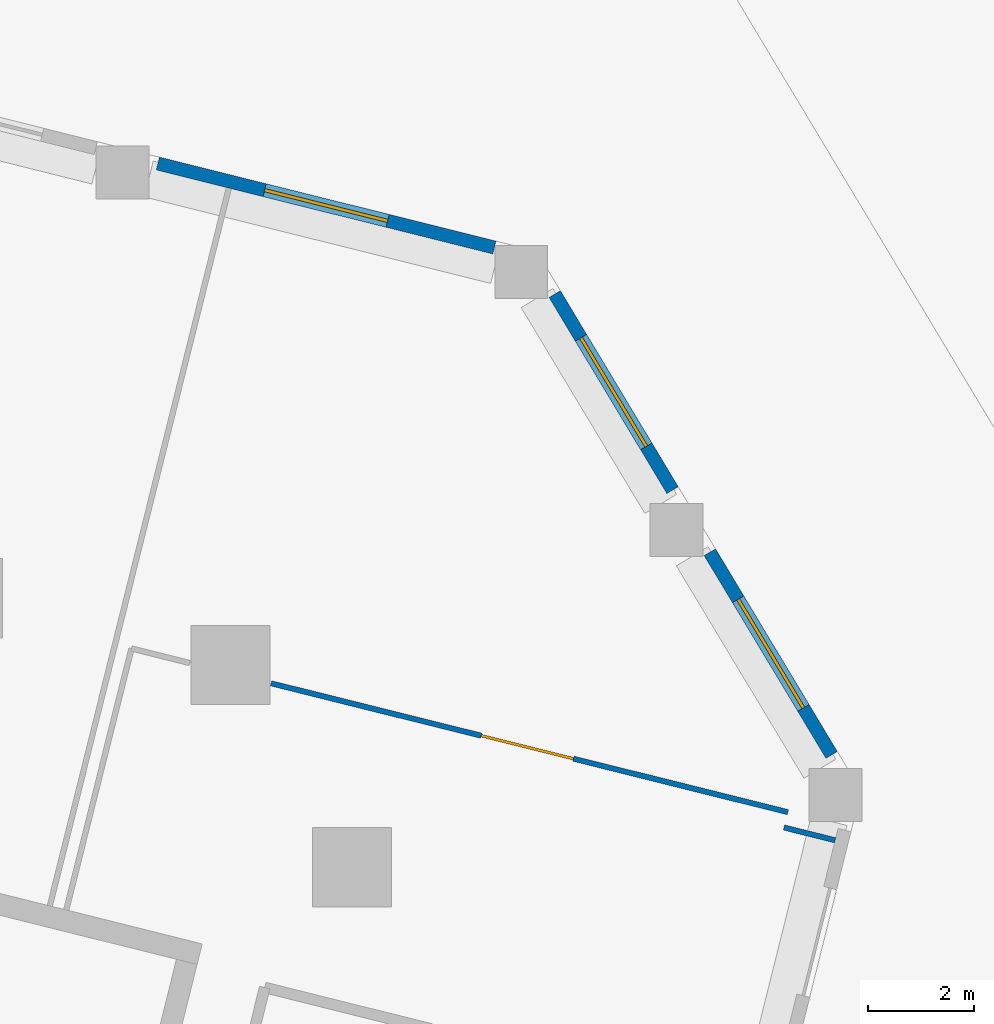
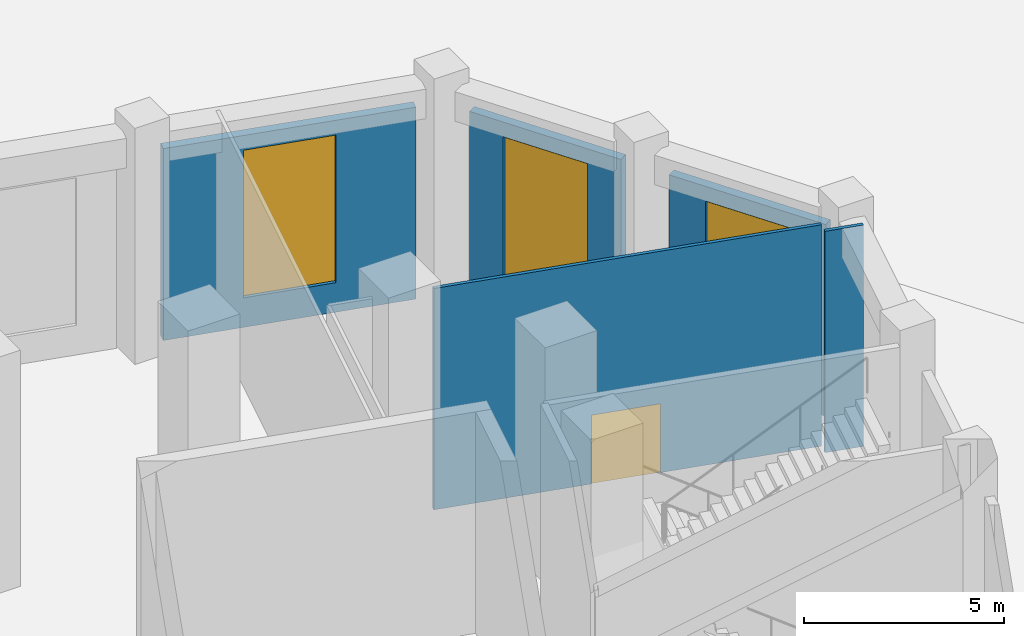
# One storey, part 16 of 27: 5 walls, 3 windows, 1 door, 4 openings.
"""IFC4 building model written with IfcOpenShell, lengths in metres."""

from ifc_helpers import new_model, si_unit, direction, frame, frame_2d, origin, place, context, subcontext, project, spatial, rectangle, extrude, material, layer, layer_set, type_object, element, fill, save


model = new_model("IFC4")

# Units and contexts
model_context = context("Model", 3, precision=1e-05, world=origin(), true_north=direction((0.0, 1.0)))
body_context = subcontext(model_context, "Body", "Model", "MODEL_VIEW")
ifc_project = project(units=[si_unit("LENGTHUNIT", "METRE"), si_unit("AREAUNIT", "SQUARE_METRE"), si_unit("VOLUMEUNIT", "CUBIC_METRE"), si_unit("PLANEANGLEUNIT", "RADIAN"), si_unit("MASSUNIT", "GRAM", prefix="KILO")], contexts=[model_context])

# Site, building, storey
site_placement = place(None, origin())
site = spatial("IfcSite", under=ifc_project, at=site_placement, CompositionType="ELEMENT")
building_placement = place(site_placement, origin())
building = spatial("IfcBuilding", under=site, at=building_placement, Name="Meshkara Civic Tower", CompositionType="ELEMENT")
storey_placement = place(building_placement, origin())
storey = spatial("IfcBuildingStorey", under=building, at=storey_placement, Name="L00", CompositionType="ELEMENT", Elevation=0.0)

# Wall, opening, door
ifc_material_1 = material(Name="Corridor wall 100")
ifc_layer_1 = layer(ifc_material_1, 0.10009765625)
ifc_layer_set_1 = layer_set([ifc_layer_1], Name="Corridor wall 100")
wall_type_1 = type_object("IfcWallType", Name="Corridor wall 100", PredefinedType="PARTITIONING", material=ifc_layer_set_1)
wall_1_placement = place(storey_placement, frame((98.73291015625, -1.737060546875, 0.0), z_axis=(0.0, 0.0, 1.0), x_axis=(-0.970310450884, 0.241862830763, 0.0)))
wall_1 = element("IfcWall", 1, at=wall_1_placement, inside=storey, type_object=wall_type_1, Name="L00-R082", PredefinedType="PARTITIONING", context=body_context, shape_type="SweptSolid", body=[
    extrude(rectangle(XDim=10.075927734375, YDim=0.10009765625, at=frame_2d((5.0380859375, 0.0))), origin(), (0.0, 0.0, 1.0), 6.75),
])
opening_1_placement = place(wall_1_placement, frame((4.179931640625, 0.0, 0.0)))
opening_1 = element("IfcOpeningElement", 2, at=opening_1_placement, cuts=wall_1, Name="Opening L00-P011", PredefinedType="OPENING", context=body_context, shape_type="SweptSolid", body=[
    extrude(rectangle(XDim=1.800048828125, YDim=2.10009765625, at=frame_2d((0.89990234375, 1.050048828125))), frame((0.0, 0.06005859375, 0.0), z_axis=(0.0, -1.0, 0.0), x_axis=(1.0, 0.0, 0.0)), (0.0, 0.0, 1.0), 0.1201171875),
])
ifc_material_2 = material(Name="Door pair 1800 x 2100")
door_type = type_object("IfcDoorType", Name="Door pair 1800 x 2100", OperationType="SINGLE_SWING_LEFT", PredefinedType="DOOR", material=ifc_material_2)
door_placement = place(opening_1_placement, origin())
door = element("IfcDoor", 3, at=door_placement, inside=storey, type_object=door_type, Name="L00-P011", OperationType="DOUBLE_DOOR_SINGLE_SWING", OverallHeight=2.10009765625, OverallWidth=1.800048828125, PredefinedType="DOOR", context=body_context, shape_type="SweptSolid", body=[
    extrude(rectangle(XDim=1.800048828125, YDim=2.10009765625, at=frame_2d((0.89990234375, 1.050048828125))), frame((0.0, 0.02490234375, 0.0), z_axis=(0.0, -1.0, 0.0), x_axis=(1.0, 0.0, 0.0)), (0.0, 0.0, 1.0), 0.050048828125),
])
fill(opening_1, door)

# Wall
wall_2_placement = place(storey_placement, frame((99.63037109375, -2.27001953125, 0.0), z_axis=(0.0, 0.0, 1.0), x_axis=(-0.970300241929, 0.241903783585, 0.0)))
element("IfcWall", 4, at=wall_2_placement, inside=storey, type_object=wall_type_1, Name="L00-R083", PredefinedType="PARTITIONING", context=body_context, shape_type="SweptSolid", body=[
    extrude(rectangle(XDim=1.000244140625, YDim=0.10009765625, at=frame_2d((0.5, 0.0))), origin(), (0.0, 0.0, 1.0), 6.75),
])

# Wall, opening, window
ifc_material_3 = material(Name="Stone cladding on insulated backing wall", Category="masonry")
ifc_layer_2 = layer(ifc_material_3, 0.25)
ifc_layer_set_2 = layer_set([ifc_layer_2], Name="PODIUM STONE WALL 250")
wall_type_2 = type_object("IfcWallType", Name="PODIUM STONE WALL 250", PredefinedType="SOLIDWALL", material=ifc_layer_set_2)
wall_3_placement = place(storey_placement, frame((99.56298828125, -0.655029296875, 0.0), z_axis=(0.0, 0.0, 1.0), x_axis=(-0.515145569797, 0.857102702083, 0.0)))
wall_3 = element("IfcWall", 5, at=wall_3_placement, inside=storey, type_object=wall_type_2, Name="Podium external wall", PredefinedType="SOLIDWALL", context=body_context, shape_type="SweptSolid", body=[
    extrude(rectangle(XDim=4.474365234375, YDim=0.25, at=frame_2d((2.2373046875, 0.0))), origin(), (0.0, 0.0, 1.0), 5.85009765625),
])
opening_2_placement = place(wall_3_placement, frame((1.037109375, 0.0, 0.89990234375)))
opening_2 = element("IfcOpeningElement", 6, at=opening_2_placement, cuts=wall_3, Name="Opening PW1", PredefinedType="OPENING", context=body_context, shape_type="SweptSolid", body=[
    extrude(rectangle(XDim=2.39990234375, YDim=4.5, at=frame_2d((1.199951171875, 2.25))), frame((0.0, 0.135009765625, 0.0), z_axis=(0.0, -1.0, 0.0), x_axis=(1.0, 0.0, 0.0)), (0.0, 0.0, 1.0), 0.27001953125),
])
ifc_material_4 = material(Name="Tinted double glazing", Category="glass")
window_type = type_object("IfcWindowType", Name="PODIUM WINDOW 2400x4500", PartitioningType="DOUBLE_PANEL_VERTICAL", PredefinedType="WINDOW", material=ifc_material_4)
window_1_placement = place(opening_2_placement, origin())
window_1 = element("IfcWindow", 7, at=window_1_placement, inside=storey, type_object=window_type, Name="Podium window", OverallHeight=4.5, OverallWidth=2.39990234375, PartitioningType="DOUBLE_PANEL_VERTICAL", PredefinedType="WINDOW", context=body_context, shape_type="SweptSolid", body=[
    extrude(rectangle(XDim=2.39990234375, YDim=4.5, at=frame_2d((1.199951171875, 2.25))), frame((0.0, 0.030029296875, 0.0), z_axis=(0.0, -1.0, 0.0), x_axis=(1.0, 0.0, 0.0)), (0.0, 0.0, 1.0), 0.06005859375),
])
fill(opening_2, window_1)

wall_4_placement = place(storey_placement, frame((96.552001953125, 4.35595703125, 0.0), z_axis=(0.0, 0.0, 1.0), x_axis=(-0.51527536796, 0.857024675942, 0.0)))
wall_4 = element("IfcWall", 8, at=wall_4_placement, inside=storey, type_object=wall_type_2, Name="Podium external wall", PredefinedType="SOLIDWALL", context=body_context, shape_type="SweptSolid", body=[
    extrude(rectangle(XDim=4.32763671875, YDim=0.25, at=frame_2d((2.163818359375, 0.0))), origin(), (0.0, 0.0, 1.0), 5.85009765625),
])
opening_3_placement = place(wall_4_placement, frame((0.964111328125, 0.0, 0.89990234375)))
opening_3 = element("IfcOpeningElement", 9, at=opening_3_placement, cuts=wall_4, Name="Opening PW1", PredefinedType="OPENING", context=body_context, shape_type="SweptSolid", body=[
    extrude(rectangle(XDim=2.39990234375, YDim=4.5, at=frame_2d((1.199951171875, 2.25))), frame((0.0, 0.135009765625, 0.0), z_axis=(0.0, -1.0, 0.0), x_axis=(1.0, 0.0, 0.0)), (0.0, 0.0, 1.0), 0.27001953125),
])
window_2_placement = place(opening_3_placement, origin())
window_2 = element("IfcWindow", 10, at=window_2_placement, inside=storey, type_object=window_type, Name="Podium window", OverallHeight=4.5, OverallWidth=2.39990234375, PartitioningType="DOUBLE_PANEL_VERTICAL", PredefinedType="WINDOW", context=body_context, shape_type="SweptSolid", body=[
    extrude(rectangle(XDim=2.39990234375, YDim=4.5, at=frame_2d((1.199951171875, 2.25))), frame((0.0, 0.030029296875, 0.0), z_axis=(0.0, -1.0, 0.0), x_axis=(1.0, 0.0, 0.0)), (0.0, 0.0, 1.0), 0.06005859375),
])
fill(opening_3, window_2)

wall_5_placement = place(storey_placement, frame((93.180908203125, 8.947021484375, 0.0), z_axis=(0.0, 0.0, 1.0), x_axis=(-0.970262712144, 0.242054269584, 0.0)))
wall_5 = element("IfcWall", 11, at=wall_5_placement, inside=storey, type_object=wall_type_2, Name="Podium external wall", PredefinedType="SOLIDWALL", context=body_context, shape_type="SweptSolid", body=[
    extrude(rectangle(XDim=6.564208984375, YDim=0.25, at=frame_2d((3.2822265625, 0.0))), origin(), (0.0, 0.0, 1.0), 5.85009765625),
])
opening_4_placement = place(wall_5_placement, frame((2.08203125, 0.0, 0.89990234375)))
opening_4 = element("IfcOpeningElement", 12, at=opening_4_placement, cuts=wall_5, Name="Opening PW1", PredefinedType="OPENING", context=body_context, shape_type="SweptSolid", body=[
    extrude(rectangle(XDim=2.39990234375, YDim=4.5, at=frame_2d((1.199951171875, 2.25))), frame((0.0, 0.135009765625, 0.0), z_axis=(0.0, -1.0, 0.0), x_axis=(1.0, 0.0, 0.0)), (0.0, 0.0, 1.0), 0.27001953125),
])
window_3_placement = place(opening_4_placement, origin())
window_3 = element("IfcWindow", 13, at=window_3_placement, inside=storey, type_object=window_type, Name="Podium window", OverallHeight=4.5, OverallWidth=2.39990234375, PartitioningType="DOUBLE_PANEL_VERTICAL", PredefinedType="WINDOW", context=body_context, shape_type="SweptSolid", body=[
    extrude(rectangle(XDim=2.39990234375, YDim=4.5, at=frame_2d((1.199951171875, 2.25))), frame((0.0, 0.030029296875, 0.0), z_axis=(0.0, -1.0, 0.0), x_axis=(1.0, 0.0, 0.0)), (0.0, 0.0, 1.0), 0.06005859375),
])
fill(opening_4, window_3)

save(model, "model.ifc")
